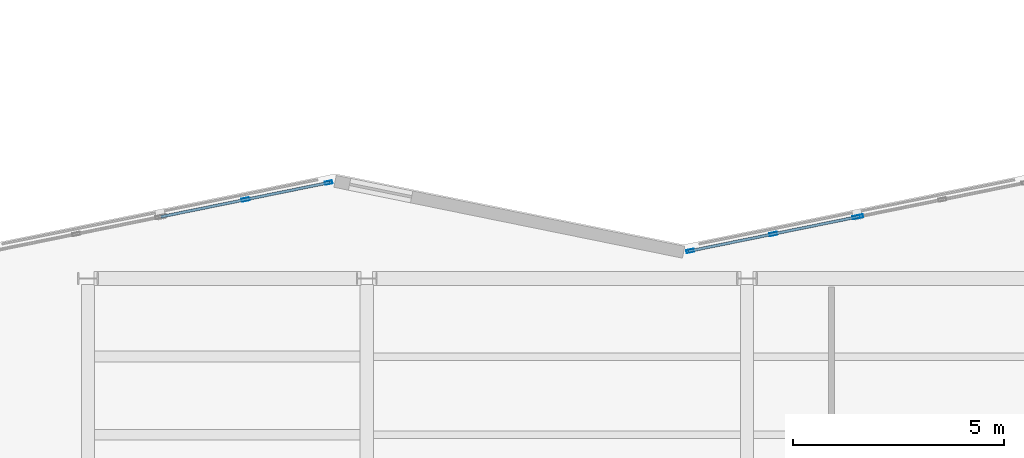
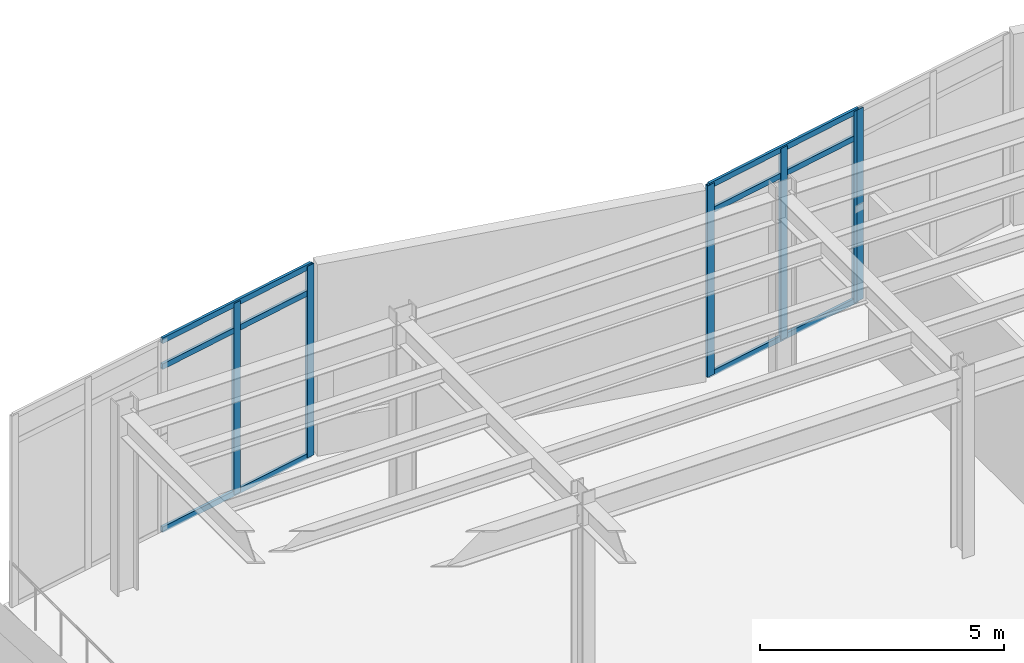
# One storey, part 42 of 91: 12 members, 3 elements without a shape of their own.
"""IFC4 building model written with IfcOpenShell, lengths in metres."""

from ifc_helpers import new_model, si_unit, direction, frame, origin, origin_2d, place, context, subcontext, project, spatial, hollow_rectangle, extrude, material, layer, layer_set, material_profile, profile_set, type_object, element, aggregate, save


model = new_model("IFC4")

# Units and contexts
model_context = context("Model", 3, precision=1e-05, world=origin(), true_north=direction((0.0, 1.0)))
body_context = subcontext(model_context, "Body", "Model", "MODEL_VIEW")
ifc_project = project(units=[si_unit("LENGTHUNIT", "METRE"), si_unit("AREAUNIT", "SQUARE_METRE"), si_unit("VOLUMEUNIT", "CUBIC_METRE"), si_unit("PLANEANGLEUNIT", "RADIAN"), si_unit("MASSUNIT", "GRAM", prefix="KILO")], contexts=[model_context])

# Site, building, storey
site_placement = place(None, origin())
site = spatial("IfcSite", under=ifc_project, at=site_placement, CompositionType="ELEMENT")
building_placement = place(site_placement, origin())
building = spatial("IfcBuilding", under=site, at=building_placement, Name="Sollismere Congress Hotel", CompositionType="ELEMENT")
storey_placement = place(building_placement, frame((0.0, 0.0, 10.800048828125)))
storey = spatial("IfcBuildingStorey", under=building, at=storey_placement, Name="L02", CompositionType="ELEMENT", Elevation=10.800048828125)

# Curtain wall, members
ifc_material_1 = material(Name="Anodized Bronze Curtain Wall & Low-E Triple Glazing", Category="glass")
ifc_layer = layer(ifc_material_1, 0.199951171875, Name="Anodized Bronze Curtain Wall & Low-E Triple Glazing")
ifc_layer_set = layer_set([ifc_layer], Name="Anodized Bronze Curtain Wall & Low-E Triple Glazing")
curtain_wall_type = type_object("IfcCurtainWallType", Name="CW-GLZ36", PredefinedType="USERDEFINED", material=ifc_layer_set)
curtain_wall_1_placement = place(storey_placement, origin())
curtain_wall_1 = element("IfcCurtainWall", 1, at=curtain_wall_1_placement, inside=storey, type_object=curtain_wall_type, Name="Unitised curtain wall CW-L02-098", ObjectType="UNITISED CURTAIN WALL", PredefinedType="USERDEFINED")
ifc_material_2 = material(Name="Anodized Aluminum 6063-T6", Category="aluminium")
ifc_material_profile_1 = material_profile(ifc_material_2, hollow_rectangle(XDim=0.074951171875, YDim=0.179931640625, WallThickness=0.0048828125, at=origin_2d()), Name="ALU180X75X5")
ifc_profile_set_1 = profile_set([ifc_material_profile_1], Name="Anodized Aluminum 6063-T6")
member_type_1 = type_object("IfcMemberType", Name="ML-CW180", PredefinedType="MULLION", material=ifc_profile_set_1)
member_1_placement = place(storey_placement, frame((64.128662109375, 104.266845703125, 0.0), z_axis=(0.0, 0.0, 1.0), x_axis=(-0.199367934417, 0.979924704621, 0.0)))
member_1 = element("IfcMember", 2, at=member_1_placement, type_object=member_type_1, Name="CWL-CW-L02-098-ML02", PredefinedType="MULLION", context=body_context, shape_type="SweptSolid", body=[
    extrude(hollow_rectangle(XDim=0.074951171875, YDim=0.179931640625, WallThickness=0.0048828125, at=origin_2d()), origin(), (0.0, 0.0, 1.0), 4.800048828125),
])
member_2_placement = place(storey_placement, frame((66.09521484375, 104.6669921875, 0.0), z_axis=(0.0, 0.0, 1.0), x_axis=(-0.199367934417, 0.979924704621, 0.0)))
member_2 = element("IfcMember", 3, at=member_2_placement, type_object=member_type_1, Name="CWL-CW-L02-098-ML03", PredefinedType="MULLION", context=body_context, shape_type="SweptSolid", body=[
    extrude(hollow_rectangle(XDim=0.074951171875, YDim=0.179931640625, WallThickness=0.0048828125, at=origin_2d()), origin(), (0.0, 0.0, 1.0), 4.800048828125),
])

curtain_wall_2_placement = place(storey_placement, origin())
curtain_wall_2 = element("IfcCurtainWall", 4, at=curtain_wall_2_placement, inside=storey, type_object=curtain_wall_type, Name="Unitised curtain wall CW-L02-099", ObjectType="UNITISED CURTAIN WALL", PredefinedType="USERDEFINED")
member_3_placement = place(storey_placement, frame((74.65478515625, 103.051513671875, 0.0), z_axis=(0.0, 0.0, 1.0), x_axis=(-0.199367934417, 0.979924704621, 0.0)))
member_3 = element("IfcMember", 5, at=member_3_placement, type_object=member_type_1, Name="CWL-CW-L02-099-ML01", PredefinedType="MULLION", context=body_context, shape_type="SweptSolid", body=[
    extrude(hollow_rectangle(XDim=0.074951171875, YDim=0.179931640625, WallThickness=0.0048828125, at=origin_2d()), origin(), (0.0, 0.0, 1.0), 4.800048828125),
])
member_4_placement = place(storey_placement, frame((76.621337890625, 103.45166015625, 0.0), z_axis=(0.0, 0.0, 1.0), x_axis=(-0.199367934417, 0.979924704621, 0.0)))
member_4 = element("IfcMember", 6, at=member_4_placement, type_object=member_type_1, Name="CWL-CW-L02-099-ML02", PredefinedType="MULLION", context=body_context, shape_type="SweptSolid", body=[
    extrude(hollow_rectangle(XDim=0.074951171875, YDim=0.179931640625, WallThickness=0.0048828125, at=origin_2d()), origin(), (0.0, 0.0, 1.0), 4.800048828125),
])
member_5_placement = place(storey_placement, frame((78.587890625, 103.851806640625, 0.0), z_axis=(0.0, 0.0, 1.0), x_axis=(-0.199367934417, 0.979924704621, 0.0)))
member_5 = element("IfcMember", 7, at=member_5_placement, type_object=member_type_1, Name="CWL-CW-L02-099-ML03", PredefinedType="MULLION", context=body_context, shape_type="SweptSolid", body=[
    extrude(hollow_rectangle(XDim=0.074951171875, YDim=0.179931640625, WallThickness=0.0048828125, at=origin_2d()), origin(), (0.0, 0.0, 1.0), 4.800048828125),
])

# Curtain wall, member
curtain_wall_3_placement = place(storey_placement, origin())
curtain_wall_3 = element("IfcCurtainWall", 8, at=curtain_wall_3_placement, inside=storey, type_object=curtain_wall_type, Name="Unitised curtain wall CW-L02-100", ObjectType="UNITISED CURTAIN WALL", PredefinedType="USERDEFINED")
member_6_placement = place(storey_placement, frame((78.662109375, 103.86669921875, 0.0), z_axis=(0.0, 0.0, 1.0), x_axis=(-0.199367934417, 0.979924704621, 0.0)))
member_6 = element("IfcMember", 9, at=member_6_placement, type_object=member_type_1, Name="CWL-CW-L02-100-ML01", PredefinedType="MULLION", context=body_context, shape_type="SweptSolid", body=[
    extrude(hollow_rectangle(XDim=0.074951171875, YDim=0.179931640625, WallThickness=0.0048828125, at=origin_2d()), origin(), (0.0, 0.0, 1.0), 4.800048828125),
])
aggregate(curtain_wall_3, [member_6])

# Member
ifc_material_profile_2 = material_profile(ifc_material_2, hollow_rectangle(XDim=0.06494140625, YDim=0.139892578125, WallThickness=0.00390625, at=origin_2d()), Name="ALU140X65X4")
ifc_profile_set_2 = profile_set([ifc_material_profile_2], Name="Anodized Aluminum 6063-T6")
member_type_2 = type_object("IfcMemberType", Name="TR-CW150", PredefinedType="MEMBER", material=ifc_profile_set_2)
member_7_placement = place(storey_placement, frame((62.125, 103.859375, 0.032470703125), z_axis=(0.979930139944, 0.199341217087, 0.0), x_axis=(-0.199341217087, 0.979930139944, 0.0)))
member_7 = element("IfcMember", 10, at=member_7_placement, type_object=member_type_2, Name="CWL-CW-L02-098-TR1", PredefinedType="MEMBER", context=body_context, shape_type="SweptSolid", body=[
    extrude(hollow_rectangle(XDim=0.06494140625, YDim=0.139892578125, WallThickness=0.00390625, at=origin_2d()), origin(), (0.0, 0.0, 1.0), 4.08935546875),
])

member_8_placement = place(storey_placement, frame((62.125, 103.859375, 4.119873046875), z_axis=(0.979930139944, 0.199341217087, 0.0), x_axis=(-0.199341217087, 0.979930139944, 0.0)))
member_8 = element("IfcMember", 11, at=member_8_placement, type_object=member_type_2, Name="CWL-CW-L02-098-TR2", PredefinedType="MEMBER", context=body_context, shape_type="SweptSolid", body=[
    extrude(hollow_rectangle(XDim=0.06494140625, YDim=0.139892578125, WallThickness=0.00390625, at=origin_2d()), origin(), (0.0, 0.0, 1.0), 4.08935546875),
])

member_9_placement = place(storey_placement, frame((62.125, 103.859375, 4.767333984375), z_axis=(0.979930139944, 0.199341217087, 0.0), x_axis=(-0.199341217087, 0.979930139944, 0.0)))
member_9 = element("IfcMember", 12, at=member_9_placement, type_object=member_type_2, Name="CWL-CW-L02-098-TR3", PredefinedType="MEMBER", context=body_context, shape_type="SweptSolid", body=[
    extrude(hollow_rectangle(XDim=0.06494140625, YDim=0.139892578125, WallThickness=0.00390625, at=origin_2d()), origin(), (0.0, 0.0, 1.0), 4.08935546875),
])

aggregate(curtain_wall_1, [member_1, member_2, member_7, member_8, member_9])

member_10_placement = place(storey_placement, frame((74.61767578125, 103.0439453125, 0.032470703125), z_axis=(0.979918476409, 0.199398544609, 0.0), x_axis=(-0.199398544609, 0.979918476409, 0.0)))
member_10 = element("IfcMember", 13, at=member_10_placement, type_object=member_type_2, Name="CWL-CW-L02-099-TR1", PredefinedType="MEMBER", context=body_context, shape_type="SweptSolid", body=[
    extrude(hollow_rectangle(XDim=0.06494140625, YDim=0.139892578125, WallThickness=0.00390625, at=origin_2d()), origin(), (0.0, 0.0, 1.0), 4.08935546875),
])

member_11_placement = place(storey_placement, frame((74.61767578125, 103.0439453125, 4.119873046875), z_axis=(0.979918476409, 0.199398544609, 0.0), x_axis=(-0.199398544609, 0.979918476409, 0.0)))
member_11 = element("IfcMember", 14, at=member_11_placement, type_object=member_type_2, Name="CWL-CW-L02-099-TR2", PredefinedType="MEMBER", context=body_context, shape_type="SweptSolid", body=[
    extrude(hollow_rectangle(XDim=0.06494140625, YDim=0.139892578125, WallThickness=0.00390625, at=origin_2d()), origin(), (0.0, 0.0, 1.0), 4.08935546875),
])

member_12_placement = place(storey_placement, frame((74.61767578125, 103.0439453125, 4.767333984375), z_axis=(0.979918476409, 0.199398544609, 0.0), x_axis=(-0.199398544609, 0.979918476409, 0.0)))
member_12 = element("IfcMember", 15, at=member_12_placement, type_object=member_type_2, Name="CWL-CW-L02-099-TR3", PredefinedType="MEMBER", context=body_context, shape_type="SweptSolid", body=[
    extrude(hollow_rectangle(XDim=0.06494140625, YDim=0.139892578125, WallThickness=0.00390625, at=origin_2d()), origin(), (0.0, 0.0, 1.0), 4.08935546875),
])

aggregate(curtain_wall_2, [member_3, member_4, member_5, member_10, member_11, member_12])

save(model, "model.ifc")
